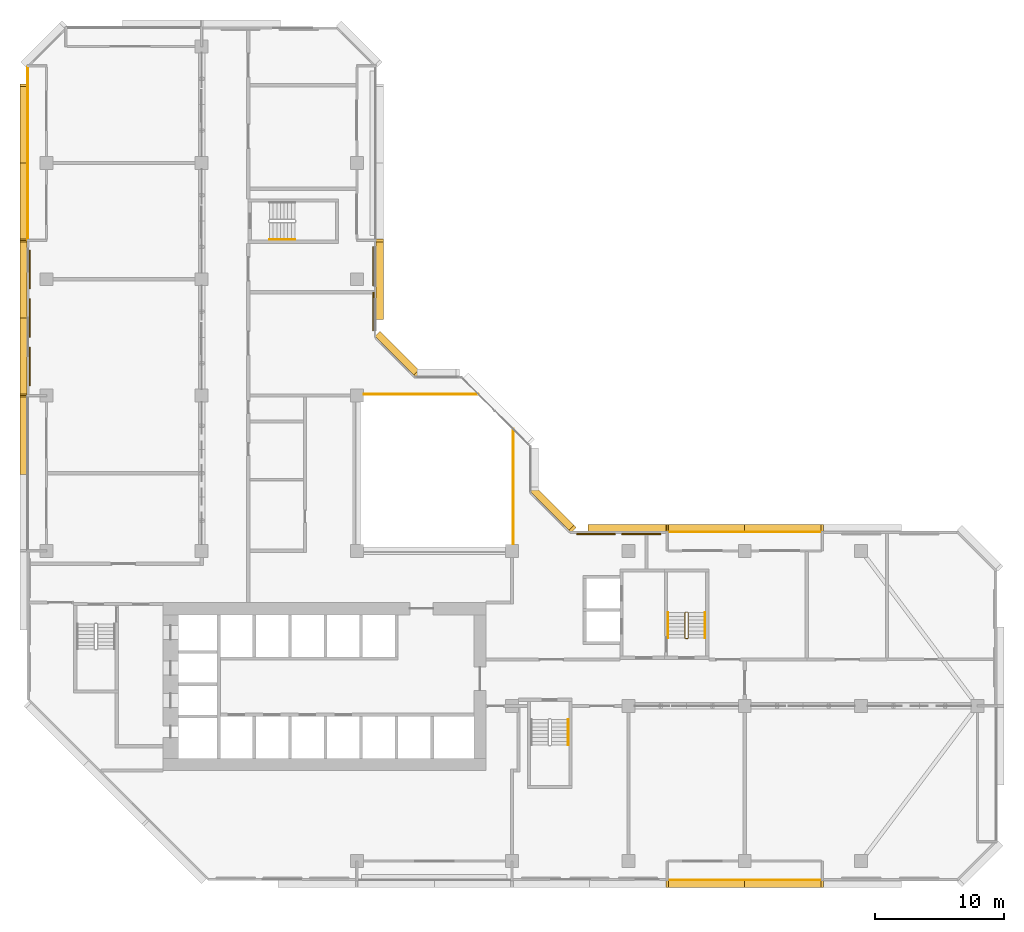
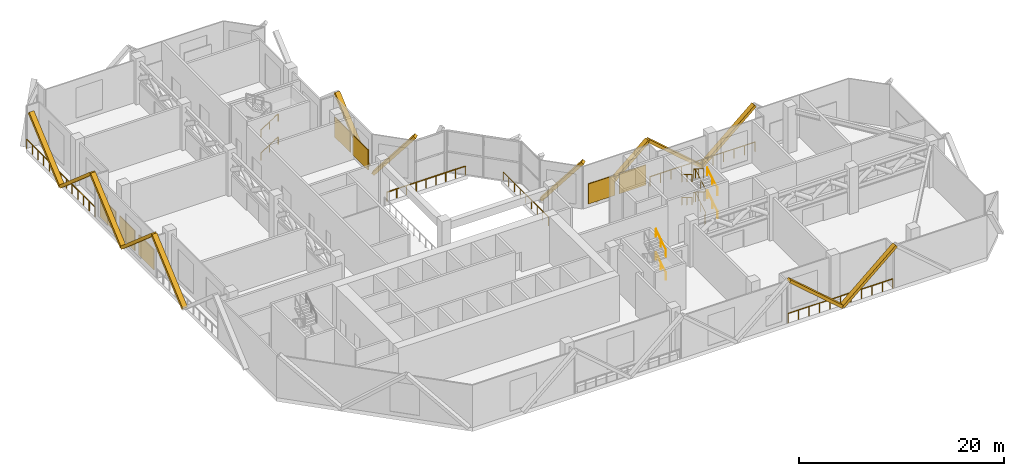
# One storey, part 14 of 15: 14 railings, 13 coverings, 7 shading devices.
"""IFC4 building model written with IfcOpenShell, lengths in metres."""

from ifc_helpers import new_model, si_unit, direction, frame, origin, origin_2d, place, context, subcontext, project, spatial, rectangle, extrude, material, material_profile, profile_set, type_object, element, save


model = new_model("IFC4")

# Units and contexts
model_context = context("Model", 3, precision=1e-05, world=origin(), true_north=direction((0.0, 1.0)))
body_context = subcontext(model_context, "Body", "Model", "MODEL_VIEW")
ifc_project = project(units=[si_unit("LENGTHUNIT", "METRE"), si_unit("AREAUNIT", "SQUARE_METRE"), si_unit("VOLUMEUNIT", "CUBIC_METRE"), si_unit("PLANEANGLEUNIT", "RADIAN"), si_unit("MASSUNIT", "GRAM", prefix="KILO")], contexts=[model_context])

# Site, building, storey
site_placement = place(None, origin())
site = spatial("IfcSite", under=ifc_project, at=site_placement, CompositionType="ELEMENT")
building_placement = place(site_placement, origin())
building = spatial("IfcBuilding", under=site, at=building_placement, Name="Chenar Terraces", CompositionType="ELEMENT")
storey_placement = place(building_placement, frame((0.0, 0.0, 140.64990234375)))
storey = spatial("IfcBuildingStorey", under=building, at=storey_placement, Name="L33", CompositionType="ELEMENT", Elevation=140.64990234375)

# Railings
ifc_material_1 = material(Name="Powder-coated steel", Category="steel")
railing_type_1 = type_object("IfcRailingType", Name="Guard 1100 steel rail with glass infill", PredefinedType="GUARDRAIL", material=ifc_material_1)
railing_1_placement = place(storey_placement, frame((24.550048828125, 36.10009765625, 0.0)))
element("IfcRailing", 1, at=railing_1_placement, inside=storey, type_object=railing_type_1, Name="Guard L33-2", PredefinedType="GUARDRAIL", context=body_context, shape_type="SweptSolid", body=[
    extrude(rectangle(XDim=0.06005859375, YDim=0.06005859375, at=origin_2d()), frame((0.0, 0.0, 1.070068359375), z_axis=(1.0, 0.0, 0.0), x_axis=(0.0, 1.0, 0.0)), (0.0, 0.0, 1.0), 8.849853515625),
    extrude(rectangle(XDim=0.050048828125, YDim=0.050048828125, at=origin_2d()), origin(), (0.0, 0.0, 1.0), 1.0400390625),
    extrude(rectangle(XDim=0.050048828125, YDim=0.050048828125, at=origin_2d()), frame((1.106201171875, 0.0, 0.0)), (0.0, 0.0, 1.0), 1.0400390625),
    extrude(rectangle(XDim=0.050048828125, YDim=0.050048828125, at=origin_2d()), frame((2.21240234375, 0.0, 0.0)), (0.0, 0.0, 1.0), 1.0400390625),
    extrude(rectangle(XDim=0.050048828125, YDim=0.050048828125, at=origin_2d()), frame((3.318603515625, 0.0, 0.0)), (0.0, 0.0, 1.0), 1.0400390625),
    extrude(rectangle(XDim=0.050048828125, YDim=0.050048828125, at=origin_2d()), frame((4.4248046875, 0.0, 0.0)), (0.0, 0.0, 1.0), 1.0400390625),
    extrude(rectangle(XDim=0.050048828125, YDim=0.050048828125, at=origin_2d()), frame((5.53125, 0.0, 0.0)), (0.0, 0.0, 1.0), 1.0400390625),
    extrude(rectangle(XDim=0.050048828125, YDim=0.050048828125, at=origin_2d()), frame((6.637451171875, 0.0, 0.0)), (0.0, 0.0, 1.0), 1.0400390625),
    extrude(rectangle(XDim=0.050048828125, YDim=0.050048828125, at=origin_2d()), frame((7.74365234375, 0.0, 0.0)), (0.0, 0.0, 1.0), 1.0400390625),
    extrude(rectangle(XDim=0.050048828125, YDim=0.050048828125, at=origin_2d()), frame((8.849853515625, 0.0, 0.0)), (0.0, 0.0, 1.0), 1.0400390625),
])
railing_2_placement = place(storey_placement, frame((36.10009765625, 24.550048828125, 0.0)))
element("IfcRailing", 2, at=railing_2_placement, inside=storey, type_object=railing_type_1, Name="Guard L33-3", PredefinedType="GUARDRAIL", context=body_context, shape_type="SweptSolid", body=[
    extrude(rectangle(XDim=0.06005859375, YDim=0.06005859375, at=origin_2d()), frame((0.0, 0.0, 1.070068359375), z_axis=(0.0, 1.0, 0.0), x_axis=(-1.0, 0.0, 0.0)), (0.0, 0.0, 1.0), 8.849853515625),
    extrude(rectangle(XDim=0.050048828125, YDim=0.050048828125, at=origin_2d()), origin(), (0.0, 0.0, 1.0), 1.0400390625),
    extrude(rectangle(XDim=0.050048828125, YDim=0.050048828125, at=origin_2d()), frame((0.0, 1.106201171875, 0.0)), (0.0, 0.0, 1.0), 1.0400390625),
    extrude(rectangle(XDim=0.050048828125, YDim=0.050048828125, at=origin_2d()), frame((0.0, 2.21240234375, 0.0)), (0.0, 0.0, 1.0), 1.0400390625),
    extrude(rectangle(XDim=0.050048828125, YDim=0.050048828125, at=origin_2d()), frame((0.0, 3.318603515625, 0.0)), (0.0, 0.0, 1.0), 1.0400390625),
    extrude(rectangle(XDim=0.050048828125, YDim=0.050048828125, at=origin_2d()), frame((0.0, 4.4248046875, 0.0)), (0.0, 0.0, 1.0), 1.0400390625),
    extrude(rectangle(XDim=0.050048828125, YDim=0.050048828125, at=origin_2d()), frame((0.0, 5.53125, 0.0)), (0.0, 0.0, 1.0), 1.0400390625),
    extrude(rectangle(XDim=0.050048828125, YDim=0.050048828125, at=origin_2d()), frame((0.0, 6.637451171875, 0.0)), (0.0, 0.0, 1.0), 1.0400390625),
    extrude(rectangle(XDim=0.050048828125, YDim=0.050048828125, at=origin_2d()), frame((0.0, 7.74365234375, 0.0)), (0.0, 0.0, 1.0), 1.0400390625),
    extrude(rectangle(XDim=0.050048828125, YDim=0.050048828125, at=origin_2d()), frame((0.0, 8.849853515625, 0.0)), (0.0, 0.0, 1.0), 1.0400390625),
])
ifc_material_2 = material(Name="Stainless steel and glass", Category="steel")
railing_type_2 = type_object("IfcRailingType", Name="Loggia guard 1150", PredefinedType="GUARDRAIL", material=ifc_material_2)
railing_3_placement = place(storey_placement, frame((59.925048828125, 25.449951171875, 0.0)))
element("IfcRailing", 3, at=railing_3_placement, inside=storey, type_object=railing_type_2, Name="Loggia guard", PredefinedType="GUARDRAIL", context=body_context, shape_type="SweptSolid", body=[
    extrude(rectangle(XDim=0.048095703125, YDim=0.048095703125, at=origin_2d()), frame((0.0, 0.0, 1.1259765625), z_axis=(-1.0, 0.0, 0.0), x_axis=(0.0, -1.0, 0.0)), (0.0, 0.0, 1.0), 11.85009765625),
    extrude(rectangle(XDim=0.0419921875, YDim=0.0419921875, at=origin_2d()), origin(), (0.0, 0.0, 1.0), 1.101806640625),
    extrude(rectangle(XDim=0.0419921875, YDim=0.0419921875, at=origin_2d()), frame((-1.18505859375, 0.0, 0.0)), (0.0, 0.0, 1.0), 1.101806640625),
    extrude(rectangle(XDim=0.0419921875, YDim=0.0419921875, at=origin_2d()), frame((-2.3701171875, 0.0, 0.0)), (0.0, 0.0, 1.0), 1.101806640625),
    extrude(rectangle(XDim=0.0419921875, YDim=0.0419921875, at=origin_2d()), frame((-3.554931640625, 0.0, 0.0)), (0.0, 0.0, 1.0), 1.101806640625),
    extrude(rectangle(XDim=0.0419921875, YDim=0.0419921875, at=origin_2d()), frame((-4.739990234375, 0.0, 0.0)), (0.0, 0.0, 1.0), 1.101806640625),
    extrude(rectangle(XDim=0.0419921875, YDim=0.0419921875, at=origin_2d()), frame((-5.925048828125, 0.0, 0.0)), (0.0, 0.0, 1.0), 1.101806640625),
    extrude(rectangle(XDim=0.0419921875, YDim=0.0419921875, at=origin_2d()), frame((-7.110107421875, 0.0, 0.0)), (0.0, 0.0, 1.0), 1.101806640625),
    extrude(rectangle(XDim=0.0419921875, YDim=0.0419921875, at=origin_2d()), frame((-8.295166015625, 0.0, 0.0)), (0.0, 0.0, 1.0), 1.101806640625),
    extrude(rectangle(XDim=0.0419921875, YDim=0.0419921875, at=origin_2d()), frame((-9.47998046875, 0.0, 0.0)), (0.0, 0.0, 1.0), 1.101806640625),
    extrude(rectangle(XDim=0.0419921875, YDim=0.0419921875, at=origin_2d()), frame((-10.6650390625, 0.0, 0.0)), (0.0, 0.0, 1.0), 1.101806640625),
    extrude(rectangle(XDim=0.0419921875, YDim=0.0419921875, at=origin_2d()), frame((-11.85009765625, 0.0, 0.0)), (0.0, 0.0, 1.0), 1.101806640625),
])
railing_4_placement = place(storey_placement, frame((48.074951171875, -1.449951171875, 0.0)))
element("IfcRailing", 4, at=railing_4_placement, inside=storey, type_object=railing_type_2, Name="Loggia guard", PredefinedType="GUARDRAIL", context=body_context, shape_type="SweptSolid", body=[
    extrude(rectangle(XDim=0.048095703125, YDim=0.048095703125, at=origin_2d()), frame((0.0, 0.0, 1.1259765625), z_axis=(1.0, 0.0, 0.0), x_axis=(0.0, 1.0, 0.0)), (0.0, 0.0, 1.0), 11.85009765625),
    extrude(rectangle(XDim=0.0419921875, YDim=0.0419921875, at=origin_2d()), origin(), (0.0, 0.0, 1.0), 1.101806640625),
    extrude(rectangle(XDim=0.0419921875, YDim=0.0419921875, at=origin_2d()), frame((1.18505859375, 0.0, 0.0)), (0.0, 0.0, 1.0), 1.101806640625),
    extrude(rectangle(XDim=0.0419921875, YDim=0.0419921875, at=origin_2d()), frame((2.3701171875, 0.0, 0.0)), (0.0, 0.0, 1.0), 1.101806640625),
    extrude(rectangle(XDim=0.0419921875, YDim=0.0419921875, at=origin_2d()), frame((3.554931640625, 0.0, 0.0)), (0.0, 0.0, 1.0), 1.101806640625),
    extrude(rectangle(XDim=0.0419921875, YDim=0.0419921875, at=origin_2d()), frame((4.739990234375, 0.0, 0.0)), (0.0, 0.0, 1.0), 1.101806640625),
    extrude(rectangle(XDim=0.0419921875, YDim=0.0419921875, at=origin_2d()), frame((5.925048828125, 0.0, 0.0)), (0.0, 0.0, 1.0), 1.101806640625),
    extrude(rectangle(XDim=0.0419921875, YDim=0.0419921875, at=origin_2d()), frame((7.110107421875, 0.0, 0.0)), (0.0, 0.0, 1.0), 1.101806640625),
    extrude(rectangle(XDim=0.0419921875, YDim=0.0419921875, at=origin_2d()), frame((8.295166015625, 0.0, 0.0)), (0.0, 0.0, 1.0), 1.101806640625),
    extrude(rectangle(XDim=0.0419921875, YDim=0.0419921875, at=origin_2d()), frame((9.47998046875, 0.0, 0.0)), (0.0, 0.0, 1.0), 1.101806640625),
    extrude(rectangle(XDim=0.0419921875, YDim=0.0419921875, at=origin_2d()), frame((10.6650390625, 0.0, 0.0)), (0.0, 0.0, 1.0), 1.101806640625),
    extrude(rectangle(XDim=0.0419921875, YDim=0.0419921875, at=origin_2d()), frame((11.85009765625, 0.0, 0.0)), (0.0, 0.0, 1.0), 1.101806640625),
])
railing_5_placement = place(storey_placement, frame((-1.449951171875, 61.425048828125, 0.0)))
element("IfcRailing", 5, at=railing_5_placement, inside=storey, type_object=railing_type_2, Name="Loggia guard", PredefinedType="GUARDRAIL", context=body_context, shape_type="SweptSolid", body=[
    extrude(rectangle(XDim=0.048095703125, YDim=0.048095703125, at=origin_2d()), frame((0.0, 0.0, 1.1259765625), z_axis=(0.0, -1.0, 0.0), x_axis=(1.0, 0.0, 0.0)), (0.0, 0.0, 1.0), 13.35009765625),
    extrude(rectangle(XDim=0.0419921875, YDim=0.0419921875, at=origin_2d()), origin(), (0.0, 0.0, 1.0), 1.101806640625),
    extrude(rectangle(XDim=0.0419921875, YDim=0.0419921875, at=origin_2d()), frame((0.0, -1.112548828125, 0.0)), (0.0, 0.0, 1.0), 1.101806640625),
    extrude(rectangle(XDim=0.0419921875, YDim=0.0419921875, at=origin_2d()), frame((0.0, -2.22509765625, 0.0)), (0.0, 0.0, 1.0), 1.101806640625),
    extrude(rectangle(XDim=0.0419921875, YDim=0.0419921875, at=origin_2d()), frame((0.0, -3.33740234375, 0.0)), (0.0, 0.0, 1.0), 1.101806640625),
    extrude(rectangle(XDim=0.0419921875, YDim=0.0419921875, at=origin_2d()), frame((0.0, -4.449951171875, 0.0)), (0.0, 0.0, 1.0), 1.101806640625),
    extrude(rectangle(XDim=0.0419921875, YDim=0.0419921875, at=origin_2d()), frame((0.0, -5.5625, 0.0)), (0.0, 0.0, 1.0), 1.101806640625),
    extrude(rectangle(XDim=0.0419921875, YDim=0.0419921875, at=origin_2d()), frame((0.0, -6.675048828125, 0.0)), (0.0, 0.0, 1.0), 1.101806640625),
    extrude(rectangle(XDim=0.0419921875, YDim=0.0419921875, at=origin_2d()), frame((0.0, -7.78759765625, 0.0)), (0.0, 0.0, 1.0), 1.101806640625),
    extrude(rectangle(XDim=0.0419921875, YDim=0.0419921875, at=origin_2d()), frame((0.0, -8.900146484375, 0.0)), (0.0, 0.0, 1.0), 1.101806640625),
    extrude(rectangle(XDim=0.0419921875, YDim=0.0419921875, at=origin_2d()), frame((0.0, -10.0126953125, 0.0)), (0.0, 0.0, 1.0), 1.101806640625),
    extrude(rectangle(XDim=0.0419921875, YDim=0.0419921875, at=origin_2d()), frame((0.0, -11.125, 0.0)), (0.0, 0.0, 1.0), 1.101806640625),
    extrude(rectangle(XDim=0.0419921875, YDim=0.0419921875, at=origin_2d()), frame((0.0, -12.237548828125, 0.0)), (0.0, 0.0, 1.0), 1.101806640625),
    extrude(rectangle(XDim=0.0419921875, YDim=0.0419921875, at=origin_2d()), frame((0.0, -13.35009765625, 0.0)), (0.0, 0.0, 1.0), 1.101806640625),
])

# Shading devices
ifc_material_3 = material(Name="Powder-coated steel", Category="steel")
shading_device_type = type_object("IfcShadingDeviceType", Name="Sand-proof louvre bank 3000 x 2400", PredefinedType="USERDEFINED", material=ifc_material_3)
for number, where, z_axis, x_axis, name in (
    (6, (25.300048828125, 42.5, 0.4501953125), (0.0, 0.0, 1.0), (0.0, 1.0, 0.0), "Sand-proof louvre bank"),
    (7, (25.300048828125, 46.0, 0.4501953125), (0.0, 0.0, 1.0), (0.0, 1.0, 0.0), "Sand-proof louvre bank"),
    (8, (46.0, 25.300048828125, 0.4501953125), (0.0, 0.0, 1.0), (-1.0, 0.0, 0.0), "Sand-proof louvre bank"),
    (9, (42.5, 25.300048828125, 0.4501953125), (0.0, 0.0, 1.0), (-1.0, 0.0, 0.0), "Sand-proof louvre bank"),
    (10, (-1.300048828125, 45.75, 0.4501953125), (0.0, 0.0, 1.0), (0.0, -1.0, 0.0), "Sand-proof louvre bank"),
    (11, (-1.300048828125, 42.0, 0.4501953125), (0.0, 0.0, 1.0), (0.0, -1.0, 0.0), "Sand-proof louvre bank"),
    (12, (-1.300048828125, 38.25, 0.4501953125), (0.0, 0.0, 1.0), (0.0, -1.0, 0.0), "Sand-proof louvre bank"),
):
    element("IfcShadingDevice", number, at=place(storey_placement, frame(where, z_axis=z_axis, x_axis=x_axis)), inside=storey, type_object=shading_device_type, Name=name, ObjectType="LOUVRE", PredefinedType="USERDEFINED", context=body_context, shape_type="SweptSolid", body=[
        extrude(rectangle(XDim=3.0, YDim=0.10009765625, at=origin_2d()), origin(), (0.0, 0.0, 1.0), 2.39990234375),
    ])

# Railings
ifc_material_4 = material(Name="Powder-coated steel", Category="steel")
railing_type_3 = type_object("IfcRailingType", Name="Stair guard 1100", PredefinedType="GUARDRAIL", material=ifc_material_4)
railing_6_placement = place(storey_placement, frame((49.375, 17.25, 5.5)))
element("IfcRailing", 13, at=railing_6_placement, inside=storey, type_object=railing_type_3, Name="L33 ST3 stair guard 1", PredefinedType="GUARDRAIL", context=body_context, shape_type="SweptSolid", body=[
    extrude(rectangle(XDim=0.048095703125, YDim=0.048095703125, at=origin_2d()), frame((0.0, 0.0, 1.076171875), z_axis=(0.0, 0.852240978134, -0.523149419562), x_axis=(-1.0, 0.0, 0.0)), (0.0, 0.0, 1.0), 2.2998046875),
    extrude(rectangle(XDim=0.048095703125, YDim=0.048095703125, at=origin_2d()), frame((0.0, 1.9599609375, -0.126953125), z_axis=(0.269255725606, 0.269255725606, -0.92466356501), x_axis=(-0.707106781187, 0.707106781187, 0.0)), (0.0, 0.0, 1.0), 0.185791015625),
    extrude(rectangle(XDim=0.048095703125, YDim=0.048095703125, at=origin_2d()), frame((0.050048828125, 2.010009765625, -0.298828125), z_axis=(1.0, 0.0, 0.0), x_axis=(0.0, 1.0, 0.0)), (0.0, 0.0, 1.0), 0.14990234375),
    extrude(rectangle(XDim=0.048095703125, YDim=0.048095703125, at=origin_2d()), frame((0.199951171875, 2.010009765625, -0.298828125), z_axis=(0.707106781187, -0.707106781187, 0.0), x_axis=(0.707106781187, 0.707106781187, 0.0)), (0.0, 0.0, 1.0), 0.07080078125),
    extrude(rectangle(XDim=0.048095703125, YDim=0.048095703125, at=origin_2d()), frame((0.25, 1.9599609375, -0.298828125), z_axis=(0.0, -0.852240978134, -0.523149419562), x_axis=(1.0, 0.0, 0.0)), (0.0, 0.0, 1.0), 2.2998046875),
    extrude(rectangle(XDim=0.048095703125, YDim=0.048095703125, at=origin_2d()), frame((0.25, 0.0, -1.501953125), z_axis=(-0.745037588186, -0.186486819998, -0.640423030626), x_axis=(0.242814311512, -0.970072785993, 0.0)), (0.0, 0.0, 1.0), 0.268310546875),
    extrude(rectangle(XDim=0.048095703125, YDim=0.048095703125, at=origin_2d()), frame((0.050048828125, -0.050048828125, -1.673828125), z_axis=(1.0, 0.0, 0.0), x_axis=(0.0, 1.0, 0.0)), (0.0, 0.0, 1.0), 0.14990234375),
    extrude(rectangle(XDim=0.048095703125, YDim=0.048095703125, at=origin_2d()), frame((0.199951171875, -0.050048828125, -1.673828125), z_axis=(-0.970072785993, 0.242814311512, 0.0), x_axis=(-0.242814311512, -0.970072785993, 0.0)), (0.0, 0.0, 1.0), 0.2060546875),
    extrude(rectangle(XDim=0.048095703125, YDim=0.048095703125, at=origin_2d()), frame((0.0, 0.0, -1.673828125), z_axis=(0.0, 0.852240978134, -0.523149419562), x_axis=(-1.0, 0.0, 0.0)), (0.0, 0.0, 1.0), 2.2998046875),
    extrude(rectangle(XDim=0.048095703125, YDim=0.048095703125, at=origin_2d()), frame((0.0, 1.9599609375, -2.876953125), z_axis=(0.269255725606, 0.269255725606, -0.92466356501), x_axis=(-0.707106781187, 0.707106781187, 0.0)), (0.0, 0.0, 1.0), 0.185791015625),
    extrude(rectangle(XDim=0.048095703125, YDim=0.048095703125, at=origin_2d()), frame((0.050048828125, 2.010009765625, -3.048828125), z_axis=(1.0, 0.0, 0.0), x_axis=(0.0, 1.0, 0.0)), (0.0, 0.0, 1.0), 0.14990234375),
    extrude(rectangle(XDim=0.048095703125, YDim=0.048095703125, at=origin_2d()), frame((0.199951171875, 2.010009765625, -3.048828125), z_axis=(0.707106781187, -0.707106781187, 0.0), x_axis=(0.707106781187, 0.707106781187, 0.0)), (0.0, 0.0, 1.0), 0.07080078125),
    extrude(rectangle(XDim=0.048095703125, YDim=0.048095703125, at=origin_2d()), frame((0.25, 1.9599609375, -3.048828125), z_axis=(0.0, -0.852240978134, -0.523149419562), x_axis=(1.0, 0.0, 0.0)), (0.0, 0.0, 1.0), 2.2998046875),
    extrude(rectangle(XDim=0.048095703125, YDim=0.048095703125, at=origin_2d()), frame((0.25, 0.0, -4.251953125), z_axis=(-0.269255725606, -0.269255725606, -0.92466356501), x_axis=(0.707106781187, -0.707106781187, 0.0)), (0.0, 0.0, 1.0), 0.185791015625),
    extrude(rectangle(XDim=0.048095703125, YDim=0.048095703125, at=origin_2d()), frame((0.199951171875, -0.050048828125, -4.423828125), z_axis=(-1.0, 0.0, 0.0), x_axis=(0.0, -1.0, 0.0)), (0.0, 0.0, 1.0), 0.14990234375),
    extrude(rectangle(XDim=0.0419921875, YDim=0.0419921875, at=origin_2d()), origin(), (0.0, 0.0, 1.0), 1.052001953125),
    extrude(rectangle(XDim=0.0419921875, YDim=0.0419921875, at=origin_2d()), frame((0.0, 0.97998046875, -0.6015625)), (0.0, 0.0, 1.0), 1.052001953125),
    extrude(rectangle(XDim=0.0419921875, YDim=0.0419921875, at=origin_2d()), frame((0.0, 1.9599609375, -1.203125)), (0.0, 0.0, 1.0), 1.052001953125),
    extrude(rectangle(XDim=0.0419921875, YDim=0.0419921875, at=origin_2d()), frame((0.050048828125, 2.010009765625, -1.375)), (0.0, 0.0, 1.0), 1.052001953125),
    extrude(rectangle(XDim=0.0419921875, YDim=0.0419921875, at=origin_2d()), frame((0.199951171875, 2.010009765625, -1.375)), (0.0, 0.0, 1.0), 1.052001953125),
    extrude(rectangle(XDim=0.0419921875, YDim=0.0419921875, at=origin_2d()), frame((0.25, 1.9599609375, -1.375)), (0.0, 0.0, 1.0), 1.052001953125),
    extrude(rectangle(XDim=0.0419921875, YDim=0.0419921875, at=origin_2d()), frame((0.25, 0.97998046875, -1.9765625)), (0.0, 0.0, 1.0), 1.052001953125),
    extrude(rectangle(XDim=0.0419921875, YDim=0.0419921875, at=origin_2d()), frame((0.25, 0.0, -2.578125)), (0.0, 0.0, 1.0), 1.052001953125),
    extrude(rectangle(XDim=0.0419921875, YDim=0.0419921875, at=origin_2d()), frame((0.050048828125, -0.050048828125, -2.75)), (0.0, 0.0, 1.0), 1.052001953125),
    extrude(rectangle(XDim=0.0419921875, YDim=0.0419921875, at=origin_2d()), frame((0.199951171875, -0.050048828125, -2.75)), (0.0, 0.0, 1.0), 1.052001953125),
    extrude(rectangle(XDim=0.0419921875, YDim=0.0419921875, at=origin_2d()), frame((0.0, 0.0, -2.75)), (0.0, 0.0, 1.0), 1.052001953125),
    extrude(rectangle(XDim=0.0419921875, YDim=0.0419921875, at=origin_2d()), frame((0.0, 0.97998046875, -3.3515625)), (0.0, 0.0, 1.0), 1.052001953125),
    extrude(rectangle(XDim=0.0419921875, YDim=0.0419921875, at=origin_2d()), frame((0.0, 1.9599609375, -3.953125)), (0.0, 0.0, 1.0), 1.052001953125),
    extrude(rectangle(XDim=0.0419921875, YDim=0.0419921875, at=origin_2d()), frame((0.050048828125, 2.010009765625, -4.125)), (0.0, 0.0, 1.0), 1.052001953125),
    extrude(rectangle(XDim=0.0419921875, YDim=0.0419921875, at=origin_2d()), frame((0.199951171875, 2.010009765625, -4.125)), (0.0, 0.0, 1.0), 1.052001953125),
    extrude(rectangle(XDim=0.0419921875, YDim=0.0419921875, at=origin_2d()), frame((0.25, 1.9599609375, -4.125)), (0.0, 0.0, 1.0), 1.052001953125),
    extrude(rectangle(XDim=0.0419921875, YDim=0.0419921875, at=origin_2d()), frame((0.25, 0.97998046875, -4.7265625)), (0.0, 0.0, 1.0), 1.052001953125),
    extrude(rectangle(XDim=0.0419921875, YDim=0.0419921875, at=origin_2d()), frame((0.25, 0.0, -5.328125)), (0.0, 0.0, 1.0), 1.052001953125),
    extrude(rectangle(XDim=0.0419921875, YDim=0.0419921875, at=origin_2d()), frame((0.199951171875, -0.050048828125, -5.5)), (0.0, 0.0, 1.0), 1.052001953125),
    extrude(rectangle(XDim=0.0419921875, YDim=0.0419921875, at=origin_2d()), frame((0.050048828125, -0.050048828125, -5.5)), (0.0, 0.0, 1.0), 1.052001953125),
])
ifc_material_5 = material(Name="Powder-coated steel", Category="steel")
railing_type_4 = type_object("IfcRailingType", Name="Stair handrail 900", PredefinedType="HANDRAIL", material=ifc_material_5)
for number, where, name in (
    (14, (40.35009765625, 8.989990234375, 1.546875), "L33 ST2 stair handrail 2"),
    (15, (40.35009765625, 8.989990234375, 4.296875), "L33 ST2 stair handrail 4"),
    (16, (50.925048828125, 17.25, 0.171875), "L33 ST3 stair handrail 1"),
):
    element("IfcRailing", number, at=place(storey_placement, frame(where)), inside=storey, type_object=railing_type_4, Name=name, PredefinedType="HANDRAIL", context=body_context, shape_type="SweptSolid", body=[
        extrude(rectangle(XDim=0.048095703125, YDim=0.048095703125, at=origin_2d()), frame((0.0, 0.0, 0.8759765625), z_axis=(0.0, 0.852240978134, 0.523149419562), x_axis=(-1.0, 0.0, 0.0)), (0.0, 0.0, 1.0), 2.2998046875),
        extrude(rectangle(XDim=0.0419921875, YDim=0.0419921875, at=origin_2d()), origin(), (0.0, 0.0, 1.0), 0.851806640625),
        extrude(rectangle(XDim=0.0419921875, YDim=0.0419921875, at=origin_2d()), frame((0.0, 0.97998046875, 0.6015625)), (0.0, 0.0, 1.0), 0.851806640625),
        extrude(rectangle(XDim=0.0419921875, YDim=0.0419921875, at=origin_2d()), frame((0.0, 1.9599609375, 1.203125)), (0.0, 0.0, 1.0), 0.851806640625),
    ])
railing_7_placement = place(storey_placement, frame((48.074951171875, 19.2099609375, 1.546875)))
element("IfcRailing", 17, at=railing_7_placement, inside=storey, type_object=railing_type_4, Name="L33 ST3 stair handrail 2", PredefinedType="HANDRAIL", context=body_context, shape_type="SweptSolid", body=[
    extrude(rectangle(XDim=0.048095703125, YDim=0.048095703125, at=origin_2d()), frame((0.0, 0.0, 0.8759765625), z_axis=(0.0, -0.852240978134, 0.523149419562), x_axis=(1.0, 0.0, 0.0)), (0.0, 0.0, 1.0), 2.2998046875),
    extrude(rectangle(XDim=0.0419921875, YDim=0.0419921875, at=origin_2d()), origin(), (0.0, 0.0, 1.0), 0.851806640625),
    extrude(rectangle(XDim=0.0419921875, YDim=0.0419921875, at=origin_2d()), frame((0.0, -0.97998046875, 0.6015625)), (0.0, 0.0, 1.0), 0.851806640625),
    extrude(rectangle(XDim=0.0419921875, YDim=0.0419921875, at=origin_2d()), frame((0.0, -1.9599609375, 1.203125)), (0.0, 0.0, 1.0), 0.851806640625),
])
railing_8_placement = place(storey_placement, frame((50.925048828125, 17.25, 2.921875)))
element("IfcRailing", 18, at=railing_8_placement, inside=storey, type_object=railing_type_4, Name="L33 ST3 stair handrail 3", PredefinedType="HANDRAIL", context=body_context, shape_type="SweptSolid", body=[
    extrude(rectangle(XDim=0.048095703125, YDim=0.048095703125, at=origin_2d()), frame((0.0, 0.0, 0.8759765625), z_axis=(0.0, 0.852240978134, 0.523149419562), x_axis=(-1.0, 0.0, 0.0)), (0.0, 0.0, 1.0), 2.2998046875),
    extrude(rectangle(XDim=0.0419921875, YDim=0.0419921875, at=origin_2d()), origin(), (0.0, 0.0, 1.0), 0.851806640625),
    extrude(rectangle(XDim=0.0419921875, YDim=0.0419921875, at=origin_2d()), frame((0.0, 0.97998046875, 0.6015625)), (0.0, 0.0, 1.0), 0.851806640625),
    extrude(rectangle(XDim=0.0419921875, YDim=0.0419921875, at=origin_2d()), frame((0.0, 1.9599609375, 1.203125)), (0.0, 0.0, 1.0), 0.851806640625),
])
railing_9_placement = place(storey_placement, frame((48.074951171875, 19.2099609375, 4.296875)))
element("IfcRailing", 19, at=railing_9_placement, inside=storey, type_object=railing_type_4, Name="L33 ST3 stair handrail 4", PredefinedType="HANDRAIL", context=body_context, shape_type="SweptSolid", body=[
    extrude(rectangle(XDim=0.048095703125, YDim=0.048095703125, at=origin_2d()), frame((0.0, 0.0, 0.8759765625), z_axis=(0.0, -0.852240978134, 0.523149419562), x_axis=(1.0, 0.0, 0.0)), (0.0, 0.0, 1.0), 2.2998046875),
    extrude(rectangle(XDim=0.0419921875, YDim=0.0419921875, at=origin_2d()), origin(), (0.0, 0.0, 1.0), 0.851806640625),
    extrude(rectangle(XDim=0.0419921875, YDim=0.0419921875, at=origin_2d()), frame((0.0, -0.97998046875, 0.6015625)), (0.0, 0.0, 1.0), 0.851806640625),
    extrude(rectangle(XDim=0.0419921875, YDim=0.0419921875, at=origin_2d()), frame((0.0, -1.9599609375, 1.203125)), (0.0, 0.0, 1.0), 0.851806640625),
])
for number, where, name in (
    (20, (17.25, 48.074951171875, 0.171875), "L33 ST4 stair handrail 1"),
    (21, (17.25, 48.074951171875, 2.921875), "L33 ST4 stair handrail 3"),
):
    element("IfcRailing", number, at=place(storey_placement, frame(where)), inside=storey, type_object=railing_type_4, Name=name, PredefinedType="HANDRAIL", context=body_context, shape_type="SweptSolid", body=[
        extrude(rectangle(XDim=0.048095703125, YDim=0.048095703125, at=origin_2d()), frame((0.0, 0.0, 0.8759765625), z_axis=(0.852240978134, 0.0, 0.523149419562), x_axis=(0.0, 1.0, 0.0)), (0.0, 0.0, 1.0), 2.2998046875),
        extrude(rectangle(XDim=0.0419921875, YDim=0.0419921875, at=origin_2d()), origin(), (0.0, 0.0, 1.0), 0.851806640625),
        extrude(rectangle(XDim=0.0419921875, YDim=0.0419921875, at=origin_2d()), frame((0.97998046875, 0.0, 0.6015625)), (0.0, 0.0, 1.0), 0.851806640625),
        extrude(rectangle(XDim=0.0419921875, YDim=0.0419921875, at=origin_2d()), frame((1.9599609375, 0.0, 1.203125)), (0.0, 0.0, 1.0), 0.851806640625),
    ])

# Coverings
ifc_material_6 = material(Name="Terracotta", Category="masonry")
ifc_material_profile = material_profile(ifc_material_6, rectangle(XDim=0.550048828125, YDim=0.330078125, at=origin_2d()), Name="Terracotta baguette 550 x 330")
ifc_profile_set = profile_set([ifc_material_profile], Name="Terracotta")
covering_type = type_object("IfcCoveringType", Name="Terracotta baguette 550 x 330", PredefinedType="CLADDING", material=ifc_profile_set)
for number, where, z_axis, x_axis, name in (
    (22, (60.0, 25.77490234375, 5.35009765625), (-0.755692126483, 0.0, -0.654927026447), (0.0, -1.0, 0.0), "Terracotta baguette"),
    (23, (54.0, 25.77490234375, 0.150146484375), (-0.755692126483, 0.0, 0.654927026447), (0.0, -1.0, 0.0), "Terracotta baguette"),
    (24, (48.0, 25.77490234375, 5.35009765625), (-0.755692126483, 0.0, -0.654927026447), (0.0, -1.0, 0.0), "Terracotta baguette"),
):
    element("IfcCovering", number, at=place(storey_placement, frame(where, z_axis=z_axis, x_axis=x_axis)), inside=storey, type_object=covering_type, Name=name, PredefinedType="CLADDING", context=body_context, shape_type="SweptSolid", body=[
        extrude(rectangle(XDim=0.550048828125, YDim=0.330078125, at=origin_2d()), origin(), (0.0, 0.0, 1.0), 7.939697265625),
    ])
for number, where, z_axis, x_axis, name in (
    (25, (40.6943359375, 25.6943359375, 5.35009765625), (-0.44698837651, 0.447024755478, -0.774835633702), (-0.70713555402, -0.707078007182, 0.0), "Terracotta baguette"),
    (26, (28.6943359375, 37.6943359375, 5.35009765625), (-0.44698837651, 0.447024755478, -0.774835633702), (-0.70713555402, -0.707078007182, 0.0), "Terracotta baguette"),
):
    element("IfcCovering", number, at=place(storey_placement, frame(where, z_axis=z_axis, x_axis=x_axis)), inside=storey, type_object=covering_type, Name=name, PredefinedType="CLADDING", context=body_context, shape_type="SweptSolid", body=[
        extrude(rectangle(XDim=0.550048828125, YDim=0.330078125, at=origin_2d()), origin(), (0.0, 0.0, 1.0), 6.7109375),
    ])
for number, where, z_axis, x_axis, name in (
    (27, (25.77490234375, 42.0, 0.150146484375), (0.0, 0.755692126483, 0.654927026447), (-1.0, 0.0, 0.0), "Terracotta baguette"),
    (28, (-1.77490234375, 60.0, 5.35009765625), (0.0, -0.755692126483, -0.654927026447), (1.0, 0.0, 0.0), "Terracotta baguette"),
    (29, (-1.77490234375, 54.0, 0.150146484375), (0.0, -0.755692126483, 0.654927026447), (1.0, 0.0, 0.0), "Terracotta baguette"),
    (30, (-1.77490234375, 48.0, 5.35009765625), (0.0, -0.755692126483, -0.654927026447), (1.0, 0.0, 0.0), "Terracotta baguette"),
    (31, (-1.77490234375, 42.0, 0.150146484375), (0.0, -0.755692126483, 0.654927026447), (1.0, 0.0, 0.0), "Terracotta baguette"),
    (32, (-1.77490234375, 36.0, 5.35009765625), (0.0, -0.755692126483, -0.654927026447), (1.0, 0.0, 0.0), "Terracotta baguette"),
    (33, (48.0, -1.77490234375, 5.35009765625), (0.755692126483, 0.0, -0.654927026447), (0.0, 1.0, 0.0), "Terracotta baguette"),
    (34, (54.0, -1.77490234375, 0.150146484375), (0.755692126483, 0.0, 0.654927026447), (0.0, 1.0, 0.0), "Terracotta baguette"),
):
    element("IfcCovering", number, at=place(storey_placement, frame(where, z_axis=z_axis, x_axis=x_axis)), inside=storey, type_object=covering_type, Name=name, PredefinedType="CLADDING", context=body_context, shape_type="SweptSolid", body=[
        extrude(rectangle(XDim=0.550048828125, YDim=0.330078125, at=origin_2d()), origin(), (0.0, 0.0, 1.0), 7.939697265625),
    ])

save(model, "model.ifc")
